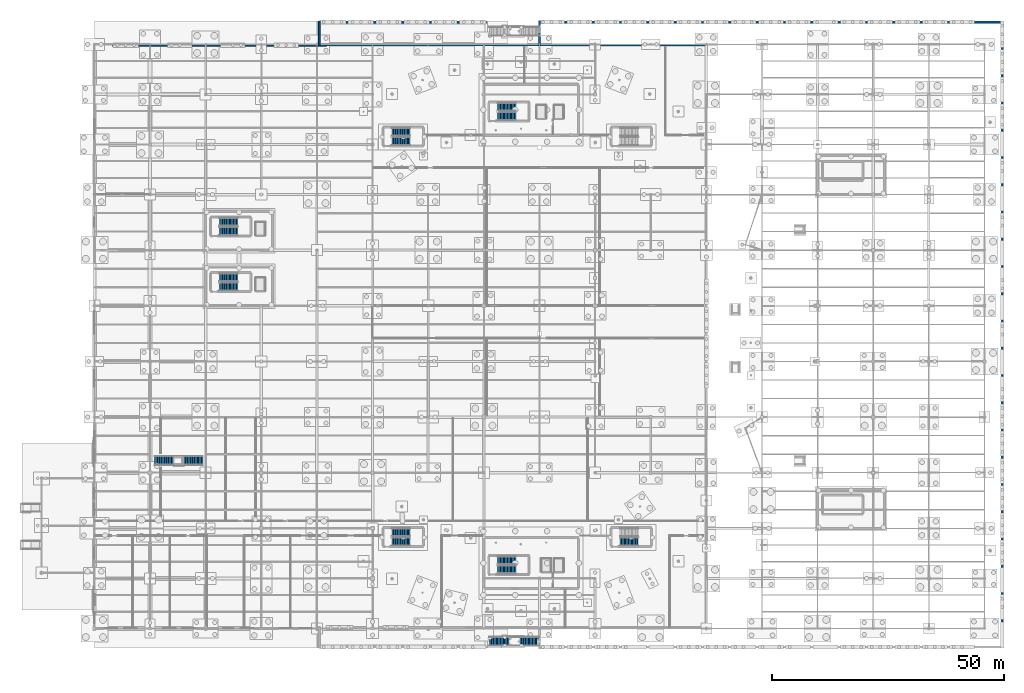
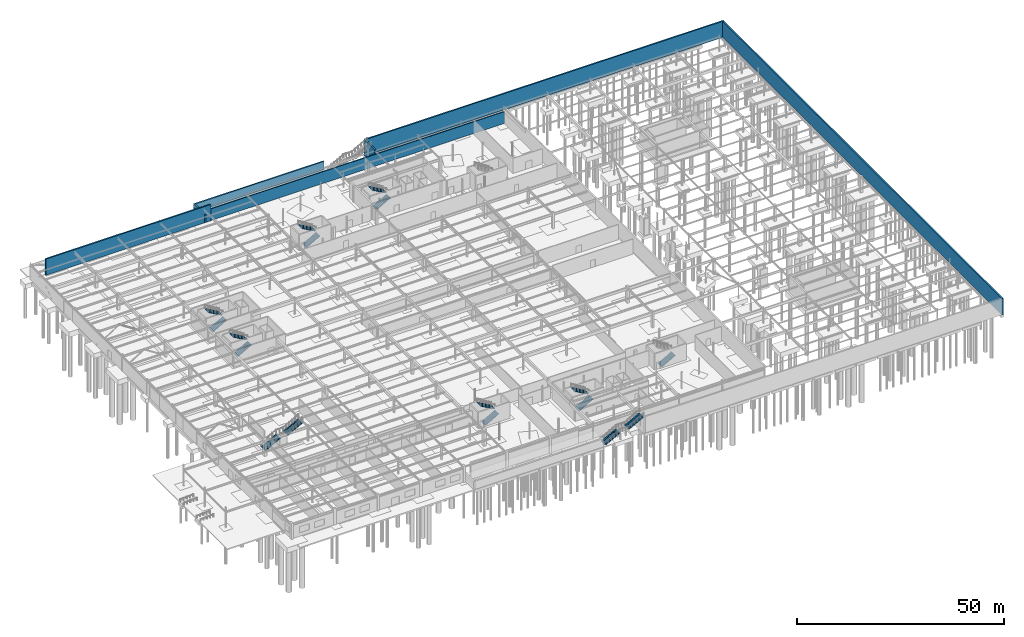
# One storey, part 126 of 136: 17 stair flights, 7 walls, 9 elements without a shape of their own.
"""IFC4 building model written with IfcOpenShell, lengths in metres."""

import ifcopenshell
import ifcopenshell.guid

model = None  # the IFC model being written
_history = None  # IfcOwnerHistory: only IFC2X3 demands one
_inside = {}  # id of a spatial element -> (the spatial element, [elements in it])
_under = {}  # id of a project, library or spatial element -> (it, [spatial elements below it])
_declared = {}  # id of a project -> (the project, [libraries it declares])
_typed = {}  # id of a type object -> (the type object, [elements of that type])
_made_of = {}  # id of a material, layer set ... -> (it, [elements and type objects made of it])


def new_model(schema):
    """Start an empty IFC model of exactly this schema.

    Asked for "IFC4X3", IfcOpenShell would pick the latest addendum, in which some entities
    have other attributes; the version numbers below select the first issue.
    IFC2X3 requires an IfcOwnerHistory on every rooted entity: one is made here for all.
    """
    global model, _history
    if schema == "IFC4X3":
        model = ifcopenshell.file(schema_version=(4, 3, 0, 0))
    else:
        model = ifcopenshell.file(schema=schema)
    _inside.clear()
    _under.clear()
    _declared.clear()
    _typed.clear()
    _made_of.clear()
    _history = None
    if model.schema == "IFC2X3":
        org = make("IfcOrganization", Name="unknown")
        user = make(
            "IfcPersonAndOrganization",
            ThePerson=make("IfcPerson", FamilyName="unknown"),
            TheOrganization=org,
        )
        app = make(
            "IfcApplication",
            ApplicationDeveloper=org,
            Version="unknown",
            ApplicationFullName="unknown",
            ApplicationIdentifier="unknown",
        )
        _history = make(
            "IfcOwnerHistory",
            OwningUser=user,
            OwningApplication=app,
            ChangeAction="ADDED",
            CreationDate=0,
        )
    return model


def make(cls, **values):
    """One entity of the class cls with the attributes given. An attribute that is None is left unset."""
    return model.create_entity(
        cls, **{name: value for name, value in values.items() if value is not None}
    )


def rooted(cls, **values):
    """An entity with a GlobalId (a new one), such as an element, a storey or a relation."""
    return make(cls, GlobalId=ifcopenshell.guid.new(), OwnerHistory=_history, **values)


def si_unit(unit_type, name, prefix=None):
    """IfcSIUnit, for example si_unit("LENGTHUNIT", "METRE", prefix="MILLI")."""
    return make("IfcSIUnit", UnitType=unit_type, Prefix=prefix, Name=name)


def assignment(units):
    """IfcUnitAssignment: the units of a project."""
    return None if units is None else make("IfcUnitAssignment", Units=units)


def point(xyz):
    """IfcCartesianPoint."""
    return None if xyz is None else make("IfcCartesianPoint", Coordinates=xyz)


def direction(xyz):
    """IfcDirection."""
    return None if xyz is None else make("IfcDirection", DirectionRatios=xyz)


def frame(location, z_axis=None, x_axis=None):
    """IfcAxis2Placement3D, a coordinate frame: its origin and axes. An axis left out is left unset."""
    return make(
        "IfcAxis2Placement3D",
        Location=point(location),
        Axis=direction(z_axis),
        RefDirection=direction(x_axis),
    )


def frame_2d(location, x_axis=None):
    """IfcAxis2Placement2D, a coordinate frame in the plane: its origin and x axis."""
    return make(
        "IfcAxis2Placement2D", Location=point(location), RefDirection=direction(x_axis)
    )


def origin():
    """The frame at (0, 0, 0) with its axes left unset."""
    return frame((0.0, 0.0, 0.0))


def place(relative_to, where):
    """IfcLocalPlacement: puts the frame where relative to a parent placement (None: the world)."""
    return make(
        "IfcLocalPlacement", PlacementRelTo=relative_to, RelativePlacement=where
    )


def context(
    kind, dimensions, precision=None, world=None, true_north=None, identifier=None
):
    """IfcGeometricRepresentationContext, for example the 3D "Model" context."""
    return make(
        "IfcGeometricRepresentationContext",
        ContextIdentifier=identifier,
        ContextType=kind,
        CoordinateSpaceDimension=dimensions,
        Precision=precision,
        WorldCoordinateSystem=world,
        TrueNorth=true_north,
    )


def subcontext(parent, identifier, kind, view, scale=None):
    """IfcGeometricRepresentationSubContext, for example "Body" below "Model"."""
    return make(
        "IfcGeometricRepresentationSubContext",
        ContextIdentifier=identifier,
        ContextType=kind,
        ParentContext=parent,
        TargetScale=scale,
        TargetView=view,
    )


def project(units=None, contexts=None):
    """IfcProject with its units and contexts."""
    return rooted(
        "IfcProject",
        Name="project",
        RepresentationContexts=contexts,
        UnitsInContext=assignment(units),
    )


def spatial(cls, under=None, at=None, **own):
    """A site, building, storey or space (cls), placed at a placement, below another one or the project."""
    s = rooted(cls, ObjectPlacement=at, **own)
    if under is not None:
        _under.setdefault(under.id(), (under, []))[1].append(s)
    return s


def polyline(points):
    """IfcPolyline through the points."""
    return make("IfcPolyline", Points=[point(p) for p in points])


def profile(cls, at=None, kind="AREA", **sizes):
    """A parametric profile (cls). Its sizes go by their IFC names, for example OverallWidth=200.0."""
    return make(cls, ProfileType=kind, Position=at, **sizes)


def rectangle(**sizes):
    """IfcRectangleProfileDef."""
    return profile("IfcRectangleProfileDef", **sizes)


def outline(outer, holes=None, kind="AREA"):
    """IfcArbitraryClosedProfileDef: a profile drawn as a closed curve; with holes, ...WithVoids."""
    if holes is None:
        return make("IfcArbitraryClosedProfileDef", ProfileType=kind, OuterCurve=outer)
    return make(
        "IfcArbitraryProfileDefWithVoids",
        ProfileType=kind,
        OuterCurve=outer,
        InnerCurves=holes,
    )


def extrude(swept, where, along, depth):
    """IfcExtrudedAreaSolid: the profile swept, set in the frame where, extruded along a direction by depth."""
    return make(
        "IfcExtrudedAreaSolid",
        SweptArea=swept,
        Position=where,
        ExtrudedDirection=direction(along),
        Depth=depth,
    )


def shape(context_of_items, identifier, shape_type, items):
    """IfcShapeRepresentation: the items that make up one representation, for example the "Body"."""
    return make(
        "IfcShapeRepresentation",
        ContextOfItems=context_of_items,
        RepresentationIdentifier=identifier,
        RepresentationType=shape_type,
        Items=items,
    )


def material(Name=None, Category=None):
    """IfcMaterial."""
    return make("IfcMaterial", Name=Name, Category=Category)


def layer(
    of_material, thickness, ventilated=None, Name=None, Category=None, Priority=None
):
    """IfcMaterialLayer: one layer of a wall or slab, of a material (None: an air gap)."""
    return make(
        "IfcMaterialLayer",
        Material=of_material,
        LayerThickness=thickness,
        IsVentilated=ventilated,
        Name=Name,
        Category=Category,
        Priority=Priority,
    )


def layer_set(layers, Name=None):
    """IfcMaterialLayerSet."""
    return make("IfcMaterialLayerSet", MaterialLayers=layers, LayerSetName=Name)


def made_of(thing, what):
    """Note that an element or type object is made of a material, layer set ...; save() writes the relation."""
    if what is not None:
        _made_of.setdefault(what.id(), (what, []))[1].append(thing)
    return thing


def type_object(cls, material=None, **own):
    """A type object (cls), such as IfcWallType, which elements share."""
    return made_of(rooted(cls, **own), material)


def element(
    cls,
    number,
    at=None,
    inside=None,
    cuts=None,
    type_object=None,
    material=None,
    context=None,
    identifier="Body",
    shape_type=None,
    held_by="IfcProductDefinitionShape",
    body=None,
    shapes=None,
    **own,
):
    """One element of the class cls, such as IfcWall. Its Tag is "e" and its number.

    at: its placement. inside: the storey or other place that contains it. cuts: it is an
    opening in that element (IfcRelVoidsElement). A single representation is given by context,
    identifier, shape_type and body (its items); several are given by shapes. held_by: the class
    of the entity that holds the representations. save() writes the other relations.
    """
    e = rooted(cls, Tag="e%d" % number, ObjectPlacement=at, **own)
    if body is not None:
        shapes = [shape(context, identifier, shape_type, body)]
    if shapes is not None:
        e.Representation = make(held_by, Representations=shapes)
    if inside is not None:
        _inside.setdefault(inside.id(), (inside, []))[1].append(e)
    if cuts is not None:
        rooted(
            "IfcRelVoidsElement", RelatingBuildingElement=cuts, RelatedOpeningElement=e
        )
    if type_object is not None:
        _typed.setdefault(type_object.id(), (type_object, []))[1].append(e)
    return made_of(e, material)


def aggregate(whole, parts):
    """IfcRelAggregates: a whole, such as a stair, and the parts it consists of."""
    return rooted("IfcRelAggregates", RelatingObject=whole, RelatedObjects=parts)


def save(model, path):
    """Write the relations noted so far, then the file.

    IfcRelAggregates (storeys below a building ...), IfcRelContainedInSpatialStructure (elements
    in a storey), IfcRelDefinesByType, IfcRelAssociatesMaterial and IfcRelDeclares: one each for
    every whole, place, type object, material and project.
    """
    for whole, parts in _under.values():
        aggregate(whole, parts)
    for where, things in _inside.values():
        rooted(
            "IfcRelContainedInSpatialStructure",
            RelatedElements=things,
            RelatingStructure=where,
        )
    for kind, things in _typed.values():
        rooted("IfcRelDefinesByType", RelatedObjects=things, RelatingType=kind)
    for what, things in _made_of.values():
        rooted("IfcRelAssociatesMaterial", RelatedObjects=things, RelatingMaterial=what)
    for by, libraries in _declared.values():
        rooted("IfcRelDeclares", RelatingContext=by, RelatedDefinitions=libraries)
    model.write(path)


model = new_model("IFC4")

# Units and contexts
model_context = context("Model", 3, precision=1e-05, world=origin(), true_north=direction((0.0, 1.0)))
body_context = subcontext(model_context, "Body", "Model", "MODEL_VIEW")
ifc_project = project(units=[si_unit("LENGTHUNIT", "METRE"), si_unit("AREAUNIT", "SQUARE_METRE"), si_unit("VOLUMEUNIT", "CUBIC_METRE"), si_unit("PLANEANGLEUNIT", "RADIAN"), si_unit("MASSUNIT", "GRAM", prefix="KILO")], contexts=[model_context])

# Site, building, storey
site_placement = place(None, origin())
site = spatial("IfcSite", under=ifc_project, at=site_placement, CompositionType="ELEMENT")
building_placement = place(site_placement, origin())
building = spatial("IfcBuilding", under=site, at=building_placement, Name="Tarnwether General Hospital", CompositionType="ELEMENT")
storey_placement = place(building_placement, frame((0.0, 0.0, -4.800048828125)))
storey = spatial("IfcBuildingStorey", under=building, at=storey_placement, Name="LG", CompositionType="ELEMENT", Elevation=-4.800048828125)

# Walls
ifc_material_1 = material(Name="Precast concrete 40 MPa", Category="concrete")
ifc_layer_1 = layer(ifc_material_1, 0.280029296875)
ifc_layer_set_1 = layer_set([ifc_layer_1], Name="Precast concrete 40 MPa")
wall_type_1 = type_object("IfcWallType", Name="WL-EX280", PredefinedType="STANDARD", material=ifc_layer_set_1)
wall_1_placement = place(storey_placement, frame((50.0, 125.800048828125, 0.0), z_axis=(0.0, 0.0, 1.0), x_axis=(1.0, 0.0, 0.0)))
element("IfcWall", 1, at=wall_1_placement, inside=storey, type_object=wall_type_1, Name="LG North Basement Perimeter Wall EW-LG-0278", PredefinedType="STANDARD", context=body_context, shape_type="SweptSolid", body=[
    extrude(rectangle(XDim=82.0, YDim=0.280029296875, at=frame_2d((41.0, 0.0))), origin(), (0.0, 0.0, 1.0), 3.455078125),
])
ifc_material_2 = material(Name="Concrete 40 MPa", Category="concrete")
ifc_layer_2 = layer(ifc_material_2, 0.39990234375)
ifc_layer_set_2 = layer_set([ifc_layer_2], Name="Concrete 40 MPa")
wall_type_2 = type_object("IfcWallType", Name="WL-RW400", PredefinedType="USERDEFINED", material=ifc_layer_set_2)
wall_2_placement = place(storey_placement, frame((4.0, 125.800048828125, 0.0), z_axis=(0.0, 0.0, 1.0), x_axis=(1.0, 0.0, 0.0)))
element("IfcWall", 2, at=wall_2_placement, inside=storey, type_object=wall_type_2, Name="Scarp Retaining Wall RW-NORTH", ObjectType="RETAINING", PredefinedType="USERDEFINED", context=body_context, shape_type="SweptSolid", body=[
    extrude(rectangle(XDim=46.0, YDim=0.39990234375, at=frame_2d((23.0, 0.0))), origin(), (0.0, 0.0, 1.0), 4.800048828125),
])
wall_3_placement = place(storey_placement, frame((195.800048828125, -4.199951171875, 0.0), z_axis=(0.0, 0.0, 1.0), x_axis=(0.0, 1.0, 0.0)))
element("IfcWall", 3, at=wall_3_placement, inside=storey, type_object=wall_type_2, Name="Scarp Retaining Wall RW-PLINTH-E", ObjectType="RETAINING", PredefinedType="USERDEFINED", context=body_context, shape_type="SweptSolid", body=[
    extrude(rectangle(XDim=135.199951171875, YDim=0.39990234375, at=frame_2d((67.60009765625, 0.0))), origin(), (0.0, 0.0, 1.0), 4.800048828125),
])
wall_4_placement = place(storey_placement, frame((196.0, 130.800048828125, 0.0), z_axis=(0.0, 0.0, 1.0), x_axis=(-1.0, 0.0, 0.0)))
element("IfcWall", 4, at=wall_4_placement, inside=storey, type_object=wall_type_2, Name="Scarp Retaining Wall RW-PLINTH-NE", ObjectType="RETAINING", PredefinedType="USERDEFINED", context=body_context, shape_type="SweptSolid", body=[
    extrude(rectangle(XDim=100.199951171875, YDim=0.39990234375, at=frame_2d((50.10009765625, 0.0))), origin(), (0.0, 0.0, 1.0), 4.800048828125),
])
wall_5_placement = place(storey_placement, frame((96.0, 125.800048828125, 0.0), z_axis=(0.0, 0.0, 1.0), x_axis=(0.0, 1.0, 0.0)))
element("IfcWall", 5, at=wall_5_placement, inside=storey, type_object=wall_type_2, Name="Scarp Retaining Wall RW-STEP96-N", ObjectType="RETAINING", PredefinedType="USERDEFINED", context=body_context, shape_type="SweptSolid", body=[
    extrude(rectangle(XDim=5.199951171875, YDim=0.39990234375, at=frame_2d((2.60009765625, 0.0))), origin(), (0.0, 0.0, 1.0), 4.800048828125),
])
wall_6_placement = place(storey_placement, frame((84.5, 130.800048828125, 0.0), z_axis=(0.0, 0.0, 1.0), x_axis=(-1.0, 0.0, 0.0)))
element("IfcWall", 6, at=wall_6_placement, inside=storey, type_object=wall_type_2, Name="Scarp Retaining Wall RW-MID-N", ObjectType="RETAINING", PredefinedType="USERDEFINED", context=body_context, shape_type="SweptSolid", body=[
    extrude(rectangle(XDim=36.0, YDim=0.39990234375, at=frame_2d((18.0, 0.0))), origin(), (0.0, 0.0, 1.0), 2.400146484375),
])
wall_7_placement = place(storey_placement, frame((48.5, 125.60009765625, 0.0), z_axis=(0.0, 0.0, 1.0), x_axis=(0.0, 1.0, 0.0)))
element("IfcWall", 7, at=wall_7_placement, inside=storey, type_object=wall_type_2, Name="Scarp Retaining Wall RW-STEP48-N", ObjectType="RETAINING", PredefinedType="USERDEFINED", context=body_context, shape_type="SweptSolid", body=[
    extrude(rectangle(XDim=5.39990234375, YDim=0.39990234375, at=frame_2d((2.699951171875, 0.0))), origin(), (0.0, 0.0, 1.0), 2.400146484375),
])

# Stair, stair flights
ifc_material_3 = material(Name="Concrete 40 MPa", Category="concrete")
stair_type_1 = type_object("IfcStairType", Name="ST-DL48A", PredefinedType="HALF_TURN_STAIR", material=ifc_material_3)
stair_1_placement = place(storey_placement, origin())
stair_1 = element("IfcStair", 8, at=stair_1_placement, inside=storey, type_object=stair_type_1, Name="LG Exit Stair ST-01", PredefinedType="HALF_TURN_STAIR")
ifc_material_4 = material(Name="Concrete 40 MPa", Category="concrete")
stair_flight_type_1 = type_object("IfcStairFlightType", Name="SF-48A", PredefinedType="STRAIGHT", material=ifc_material_4)
stair_flight_1_placement = place(storey_placement, frame((87.0, 110.5, 0.0), z_axis=(0.0, 0.0, 1.0), x_axis=(1.0, 0.0, 0.0)))
stair_flight_1 = element("IfcStairFlight", 9, at=stair_flight_1_placement, type_object=stair_flight_type_1, Name="ST-01 flight 1", NumberOfRisers=14, NumberOfTreads=13, PredefinedType="STRAIGHT", RiserHeight=0.171428571, TreadLength=0.3, context=body_context, shape_type="SweptSolid", body=[
    extrude(outline(polyline([(0.0, 0.0), (0.0, 0.17138671875), (0.300048828125, 0.17138671875), (0.300048828125, 0.3427734375), (0.60009765625, 0.3427734375), (0.60009765625, 0.514404296875), (0.89990234375, 0.514404296875), (0.89990234375, 0.685791015625), (1.199951171875, 0.685791015625), (1.199951171875, 0.857177734375), (1.5, 0.857177734375), (1.5, 1.028564453125), (1.800048828125, 1.028564453125), (1.800048828125, 1.199951171875), (2.10009765625, 1.199951171875), (2.10009765625, 1.371337890625), (2.39990234375, 1.371337890625), (2.39990234375, 1.54296875), (2.699951171875, 1.54296875), (2.699951171875, 1.71435546875), (3.0, 1.71435546875), (3.0, 1.8857421875), (3.300048828125, 1.8857421875), (3.300048828125, 2.05712890625), (3.60009765625, 2.05712890625), (3.60009765625, 2.228515625), (3.89990234375, 2.228515625), (3.89990234375, 2.39990234375), (3.89990234375, 2.055908203125), (0.30224609375, 0.0), (0.0, 0.0)])), frame((0.0, 0.89990234375, 0.0), z_axis=(0.0, -1.0, 0.0), x_axis=(1.0, 0.0, 0.0)), (0.0, 0.0, 1.0), 1.800048828125),
])
stair_flight_2_placement = place(storey_placement, frame((90.89990234375, 112.5, 2.400146484375), z_axis=(0.0, 0.0, 1.0), x_axis=(-1.0, 0.0, 0.0)))
stair_flight_2 = element("IfcStairFlight", 10, at=stair_flight_2_placement, type_object=stair_flight_type_1, Name="ST-01 flight 2", NumberOfRisers=14, NumberOfTreads=13, PredefinedType="STRAIGHT", RiserHeight=0.171428571, TreadLength=0.3, context=body_context, shape_type="SweptSolid", body=[
    extrude(outline(polyline([(0.0, 0.0), (0.0, 0.17138671875), (0.300048828125, 0.17138671875), (0.300048828125, 0.3427734375), (0.60009765625, 0.3427734375), (0.60009765625, 0.514404296875), (0.89990234375, 0.514404296875), (0.89990234375, 0.685791015625), (1.199951171875, 0.685791015625), (1.199951171875, 0.857177734375), (1.5, 0.857177734375), (1.5, 1.028564453125), (1.800048828125, 1.028564453125), (1.800048828125, 1.199951171875), (2.10009765625, 1.199951171875), (2.10009765625, 1.371337890625), (2.39990234375, 1.371337890625), (2.39990234375, 1.54296875), (2.699951171875, 1.54296875), (2.699951171875, 1.71435546875), (3.0, 1.71435546875), (3.0, 1.8857421875), (3.300048828125, 1.8857421875), (3.300048828125, 2.05712890625), (3.60009765625, 2.05712890625), (3.60009765625, 2.228515625), (3.89990234375, 2.228515625), (3.89990234375, 2.39990234375), (3.89990234375, 2.055908203125), (0.30224609375, 0.0), (0.0, 0.0)])), frame((0.0, 0.89990234375, 0.0), z_axis=(0.0, -1.0, 0.0), x_axis=(1.0, 0.0, 0.0)), (0.0, 0.0, 1.0), 1.800048828125),
])
aggregate(stair_1, [stair_flight_1, stair_flight_2])

stair_2_placement = place(storey_placement, origin())
stair_2 = element("IfcStair", 11, at=stair_2_placement, inside=storey, type_object=stair_type_1, Name="LG Exit Stair ST-03", PredefinedType="HALF_TURN_STAIR")
stair_flight_3_placement = place(storey_placement, frame((27.0, 73.699951171875, 0.0), z_axis=(0.0, 0.0, 1.0), x_axis=(1.0, 0.0, 0.0)))
stair_flight_3 = element("IfcStairFlight", 12, at=stair_flight_3_placement, type_object=stair_flight_type_1, Name="ST-03 flight 1", NumberOfRisers=14, NumberOfTreads=13, PredefinedType="STRAIGHT", RiserHeight=0.171428571, TreadLength=0.3, context=body_context, shape_type="SweptSolid", body=[
    extrude(outline(polyline([(0.0, 0.0), (0.0, 0.17138671875), (0.300048828125, 0.17138671875), (0.300048828125, 0.3427734375), (0.60009765625, 0.3427734375), (0.60009765625, 0.514404296875), (0.89990234375, 0.514404296875), (0.89990234375, 0.685791015625), (1.199951171875, 0.685791015625), (1.199951171875, 0.857177734375), (1.5, 0.857177734375), (1.5, 1.028564453125), (1.800048828125, 1.028564453125), (1.800048828125, 1.199951171875), (2.10009765625, 1.199951171875), (2.10009765625, 1.371337890625), (2.39990234375, 1.371337890625), (2.39990234375, 1.54296875), (2.699951171875, 1.54296875), (2.699951171875, 1.71435546875), (3.0, 1.71435546875), (3.0, 1.8857421875), (3.300048828125, 1.8857421875), (3.300048828125, 2.05712890625), (3.60009765625, 2.05712890625), (3.60009765625, 2.228515625), (3.89990234375, 2.228515625), (3.89990234375, 2.39990234375), (3.89990234375, 2.055908203125), (0.30224609375, 0.0), (0.0, 0.0)])), frame((0.0, 0.89990234375, 0.0), z_axis=(0.0, -1.0, 0.0), x_axis=(1.0, 0.0, 0.0)), (0.0, 0.0, 1.0), 1.800048828125),
])
stair_flight_4_placement = place(storey_placement, frame((30.89990234375, 75.699951171875, 2.400146484375), z_axis=(0.0, 0.0, 1.0), x_axis=(-1.0, 0.0, 0.0)))
stair_flight_4 = element("IfcStairFlight", 13, at=stair_flight_4_placement, type_object=stair_flight_type_1, Name="ST-03 flight 2", NumberOfRisers=14, NumberOfTreads=13, PredefinedType="STRAIGHT", RiserHeight=0.171428571, TreadLength=0.3, context=body_context, shape_type="SweptSolid", body=[
    extrude(outline(polyline([(0.0, 0.0), (0.0, 0.17138671875), (0.300048828125, 0.17138671875), (0.300048828125, 0.3427734375), (0.60009765625, 0.3427734375), (0.60009765625, 0.514404296875), (0.89990234375, 0.514404296875), (0.89990234375, 0.685791015625), (1.199951171875, 0.685791015625), (1.199951171875, 0.857177734375), (1.5, 0.857177734375), (1.5, 1.028564453125), (1.800048828125, 1.028564453125), (1.800048828125, 1.199951171875), (2.10009765625, 1.199951171875), (2.10009765625, 1.371337890625), (2.39990234375, 1.371337890625), (2.39990234375, 1.54296875), (2.699951171875, 1.54296875), (2.699951171875, 1.71435546875), (3.0, 1.71435546875), (3.0, 1.8857421875), (3.300048828125, 1.8857421875), (3.300048828125, 2.05712890625), (3.60009765625, 2.05712890625), (3.60009765625, 2.228515625), (3.89990234375, 2.228515625), (3.89990234375, 2.39990234375), (3.89990234375, 2.055908203125), (0.30224609375, 0.0), (0.0, 0.0)])), frame((0.0, 0.89990234375, 0.0), z_axis=(0.0, -1.0, 0.0), x_axis=(1.0, 0.0, 0.0)), (0.0, 0.0, 1.0), 1.800048828125),
])
aggregate(stair_2, [stair_flight_3, stair_flight_4])

stair_3_placement = place(storey_placement, origin())
stair_3 = element("IfcStair", 14, at=stair_3_placement, inside=storey, type_object=stair_type_1, Name="LG Exit Stair ST-07", PredefinedType="HALF_TURN_STAIR")
stair_flight_5_placement = place(storey_placement, frame((64.199951171875, 105.10009765625, 0.0), z_axis=(0.0, 0.0, 1.0), x_axis=(1.0, 0.0, 0.0)))
stair_flight_5 = element("IfcStairFlight", 15, at=stair_flight_5_placement, type_object=stair_flight_type_1, Name="ST-07 flight 1", NumberOfRisers=14, NumberOfTreads=13, PredefinedType="STRAIGHT", RiserHeight=0.171428571, TreadLength=0.3, context=body_context, shape_type="SweptSolid", body=[
    extrude(outline(polyline([(0.0, 0.0), (0.0, 0.17138671875), (0.300048828125, 0.17138671875), (0.300048828125, 0.3427734375), (0.60009765625, 0.3427734375), (0.60009765625, 0.514404296875), (0.89990234375, 0.514404296875), (0.89990234375, 0.685791015625), (1.199951171875, 0.685791015625), (1.199951171875, 0.857177734375), (1.5, 0.857177734375), (1.5, 1.028564453125), (1.800048828125, 1.028564453125), (1.800048828125, 1.199951171875), (2.10009765625, 1.199951171875), (2.10009765625, 1.371337890625), (2.39990234375, 1.371337890625), (2.39990234375, 1.54296875), (2.699951171875, 1.54296875), (2.699951171875, 1.71435546875), (3.0, 1.71435546875), (3.0, 1.8857421875), (3.300048828125, 1.8857421875), (3.300048828125, 2.05712890625), (3.60009765625, 2.05712890625), (3.60009765625, 2.228515625), (3.89990234375, 2.228515625), (3.89990234375, 2.39990234375), (3.89990234375, 2.055908203125), (0.30224609375, 0.0), (0.0, 0.0)])), frame((0.0, 0.89990234375, 0.0), z_axis=(0.0, -1.0, 0.0), x_axis=(1.0, 0.0, 0.0)), (0.0, 0.0, 1.0), 1.800048828125),
])
stair_flight_6_placement = place(storey_placement, frame((68.10009765625, 107.10009765625, 2.400146484375), z_axis=(0.0, 0.0, 1.0), x_axis=(-1.0, 0.0, 0.0)))
stair_flight_6 = element("IfcStairFlight", 16, at=stair_flight_6_placement, type_object=stair_flight_type_1, Name="ST-07 flight 2", NumberOfRisers=14, NumberOfTreads=13, PredefinedType="STRAIGHT", RiserHeight=0.171428571, TreadLength=0.3, context=body_context, shape_type="SweptSolid", body=[
    extrude(outline(polyline([(0.0, 0.0), (0.0, 0.17138671875), (0.300048828125, 0.17138671875), (0.300048828125, 0.3427734375), (0.60009765625, 0.3427734375), (0.60009765625, 0.514404296875), (0.89990234375, 0.514404296875), (0.89990234375, 0.685791015625), (1.199951171875, 0.685791015625), (1.199951171875, 0.857177734375), (1.5, 0.857177734375), (1.5, 1.028564453125), (1.800048828125, 1.028564453125), (1.800048828125, 1.199951171875), (2.10009765625, 1.199951171875), (2.10009765625, 1.371337890625), (2.39990234375, 1.371337890625), (2.39990234375, 1.54296875), (2.699951171875, 1.54296875), (2.699951171875, 1.71435546875), (3.0, 1.71435546875), (3.0, 1.8857421875), (3.300048828125, 1.8857421875), (3.300048828125, 2.05712890625), (3.60009765625, 2.05712890625), (3.60009765625, 2.228515625), (3.89990234375, 2.228515625), (3.89990234375, 2.39990234375), (3.89990234375, 2.055908203125), (0.30224609375, 0.0), (0.0, 0.0)])), frame((0.0, 0.89990234375, 0.0), z_axis=(0.0, -1.0, 0.0), x_axis=(1.0, 0.0, 0.0)), (0.0, 0.0, 1.0), 1.800048828125),
])
aggregate(stair_3, [stair_flight_5, stair_flight_6])

stair_4_placement = place(storey_placement, origin())
stair_4 = element("IfcStair", 17, at=stair_4_placement, inside=storey, type_object=stair_type_1, Name="LG Exit Stair ST-09", PredefinedType="HALF_TURN_STAIR")
stair_flight_7_placement = place(storey_placement, frame((64.199951171875, 18.699951171875, 0.0), z_axis=(0.0, 0.0, 1.0), x_axis=(1.0, 0.0, 0.0)))
stair_flight_7 = element("IfcStairFlight", 18, at=stair_flight_7_placement, type_object=stair_flight_type_1, Name="ST-09 flight 1", NumberOfRisers=14, NumberOfTreads=13, PredefinedType="STRAIGHT", RiserHeight=0.171428571, TreadLength=0.3, context=body_context, shape_type="SweptSolid", body=[
    extrude(outline(polyline([(0.0, 0.0), (0.0, 0.17138671875), (0.300048828125, 0.17138671875), (0.300048828125, 0.3427734375), (0.60009765625, 0.3427734375), (0.60009765625, 0.514404296875), (0.89990234375, 0.514404296875), (0.89990234375, 0.685791015625), (1.199951171875, 0.685791015625), (1.199951171875, 0.857177734375), (1.5, 0.857177734375), (1.5, 1.028564453125), (1.800048828125, 1.028564453125), (1.800048828125, 1.199951171875), (2.10009765625, 1.199951171875), (2.10009765625, 1.371337890625), (2.39990234375, 1.371337890625), (2.39990234375, 1.54296875), (2.699951171875, 1.54296875), (2.699951171875, 1.71435546875), (3.0, 1.71435546875), (3.0, 1.8857421875), (3.300048828125, 1.8857421875), (3.300048828125, 2.05712890625), (3.60009765625, 2.05712890625), (3.60009765625, 2.228515625), (3.89990234375, 2.228515625), (3.89990234375, 2.39990234375), (3.89990234375, 2.055908203125), (0.30224609375, 0.0), (0.0, 0.0)])), frame((0.0, 0.89990234375, 0.0), z_axis=(0.0, -1.0, 0.0), x_axis=(1.0, 0.0, 0.0)), (0.0, 0.0, 1.0), 1.800048828125),
])
stair_flight_8_placement = place(storey_placement, frame((68.10009765625, 20.699951171875, 2.400146484375), z_axis=(0.0, 0.0, 1.0), x_axis=(-1.0, 0.0, 0.0)))
stair_flight_8 = element("IfcStairFlight", 19, at=stair_flight_8_placement, type_object=stair_flight_type_1, Name="ST-09 flight 2", NumberOfRisers=14, NumberOfTreads=13, PredefinedType="STRAIGHT", RiserHeight=0.171428571, TreadLength=0.3, context=body_context, shape_type="SweptSolid", body=[
    extrude(outline(polyline([(0.0, 0.0), (0.0, 0.17138671875), (0.300048828125, 0.17138671875), (0.300048828125, 0.3427734375), (0.60009765625, 0.3427734375), (0.60009765625, 0.514404296875), (0.89990234375, 0.514404296875), (0.89990234375, 0.685791015625), (1.199951171875, 0.685791015625), (1.199951171875, 0.857177734375), (1.5, 0.857177734375), (1.5, 1.028564453125), (1.800048828125, 1.028564453125), (1.800048828125, 1.199951171875), (2.10009765625, 1.199951171875), (2.10009765625, 1.371337890625), (2.39990234375, 1.371337890625), (2.39990234375, 1.54296875), (2.699951171875, 1.54296875), (2.699951171875, 1.71435546875), (3.0, 1.71435546875), (3.0, 1.8857421875), (3.300048828125, 1.8857421875), (3.300048828125, 2.05712890625), (3.60009765625, 2.05712890625), (3.60009765625, 2.228515625), (3.89990234375, 2.228515625), (3.89990234375, 2.39990234375), (3.89990234375, 2.055908203125), (0.30224609375, 0.0), (0.0, 0.0)])), frame((0.0, 0.89990234375, 0.0), z_axis=(0.0, -1.0, 0.0), x_axis=(1.0, 0.0, 0.0)), (0.0, 0.0, 1.0), 1.800048828125),
])
aggregate(stair_4, [stair_flight_7, stair_flight_8])

ifc_material_5 = material(Name="Concrete 40 MPa", Category="concrete")
stair_type_2 = type_object("IfcStairType", Name="ST-DL48B", PredefinedType="HALF_TURN_STAIR", material=ifc_material_5)
stair_5_placement = place(storey_placement, origin())
stair_5 = element("IfcStair", 20, at=stair_5_placement, inside=storey, type_object=stair_type_2, Name="LG Exit Stair ST-02", PredefinedType="HALF_TURN_STAIR")
ifc_material_6 = material(Name="Concrete 40 MPa", Category="concrete")
stair_flight_type_2 = type_object("IfcStairFlightType", Name="SF-48B", PredefinedType="STRAIGHT", material=ifc_material_6)
stair_flight_9_placement = place(storey_placement, frame((87.0, 12.699951171875, 0.0), z_axis=(0.0, 0.0, 1.0), x_axis=(1.0, 0.0, 0.0)))
stair_flight_9 = element("IfcStairFlight", 21, at=stair_flight_9_placement, type_object=stair_flight_type_2, Name="ST-02 flight 1", NumberOfRisers=14, NumberOfTreads=13, PredefinedType="STRAIGHT", RiserHeight=0.171428571, TreadLength=0.3, context=body_context, shape_type="SweptSolid", body=[
    extrude(outline(polyline([(0.0, 0.0), (0.0, 0.17138671875), (0.300048828125, 0.17138671875), (0.300048828125, 0.3427734375), (0.60009765625, 0.3427734375), (0.60009765625, 0.514404296875), (0.89990234375, 0.514404296875), (0.89990234375, 0.685791015625), (1.199951171875, 0.685791015625), (1.199951171875, 0.857177734375), (1.5, 0.857177734375), (1.5, 1.028564453125), (1.800048828125, 1.028564453125), (1.800048828125, 1.199951171875), (2.10009765625, 1.199951171875), (2.10009765625, 1.371337890625), (2.39990234375, 1.371337890625), (2.39990234375, 1.54296875), (2.699951171875, 1.54296875), (2.699951171875, 1.71435546875), (3.0, 1.71435546875), (3.0, 1.8857421875), (3.300048828125, 1.8857421875), (3.300048828125, 2.05712890625), (3.60009765625, 2.05712890625), (3.60009765625, 2.228515625), (3.89990234375, 2.228515625), (3.89990234375, 2.39990234375), (3.89990234375, 2.055908203125), (0.30224609375, 0.0), (0.0, 0.0)])), frame((0.0, 0.89990234375, 0.0), z_axis=(0.0, -1.0, 0.0), x_axis=(1.0, 0.0, 0.0)), (0.0, 0.0, 1.0), 1.800048828125),
])
stair_flight_10_placement = place(storey_placement, frame((90.89990234375, 14.699951171875, 2.400146484375), z_axis=(0.0, 0.0, 1.0), x_axis=(-1.0, 0.0, 0.0)))
stair_flight_10 = element("IfcStairFlight", 22, at=stair_flight_10_placement, type_object=stair_flight_type_2, Name="ST-02 flight 2", NumberOfRisers=14, NumberOfTreads=13, PredefinedType="STRAIGHT", RiserHeight=0.171428571, TreadLength=0.3, context=body_context, shape_type="SweptSolid", body=[
    extrude(outline(polyline([(0.0, 0.0), (0.0, 0.17138671875), (0.300048828125, 0.17138671875), (0.300048828125, 0.3427734375), (0.60009765625, 0.3427734375), (0.60009765625, 0.514404296875), (0.89990234375, 0.514404296875), (0.89990234375, 0.685791015625), (1.199951171875, 0.685791015625), (1.199951171875, 0.857177734375), (1.5, 0.857177734375), (1.5, 1.028564453125), (1.800048828125, 1.028564453125), (1.800048828125, 1.199951171875), (2.10009765625, 1.199951171875), (2.10009765625, 1.371337890625), (2.39990234375, 1.371337890625), (2.39990234375, 1.54296875), (2.699951171875, 1.54296875), (2.699951171875, 1.71435546875), (3.0, 1.71435546875), (3.0, 1.8857421875), (3.300048828125, 1.8857421875), (3.300048828125, 2.05712890625), (3.60009765625, 2.05712890625), (3.60009765625, 2.228515625), (3.89990234375, 2.228515625), (3.89990234375, 2.39990234375), (3.89990234375, 2.055908203125), (0.30224609375, 0.0), (0.0, 0.0)])), frame((0.0, 0.89990234375, 0.0), z_axis=(0.0, -1.0, 0.0), x_axis=(1.0, 0.0, 0.0)), (0.0, 0.0, 1.0), 1.800048828125),
])
aggregate(stair_5, [stair_flight_9, stair_flight_10])

stair_6_placement = place(storey_placement, origin())
stair_6 = element("IfcStair", 23, at=stair_6_placement, inside=storey, type_object=stair_type_2, Name="LG Exit Stair ST-04", PredefinedType="HALF_TURN_STAIR")
stair_flight_11_placement = place(storey_placement, frame((27.0, 85.699951171875, 0.0), z_axis=(0.0, 0.0, 1.0), x_axis=(1.0, 0.0, 0.0)))
stair_flight_11 = element("IfcStairFlight", 24, at=stair_flight_11_placement, type_object=stair_flight_type_2, Name="ST-04 flight 1", NumberOfRisers=14, NumberOfTreads=13, PredefinedType="STRAIGHT", RiserHeight=0.171428571, TreadLength=0.3, context=body_context, shape_type="SweptSolid", body=[
    extrude(outline(polyline([(0.0, 0.0), (0.0, 0.17138671875), (0.300048828125, 0.17138671875), (0.300048828125, 0.3427734375), (0.60009765625, 0.3427734375), (0.60009765625, 0.514404296875), (0.89990234375, 0.514404296875), (0.89990234375, 0.685791015625), (1.199951171875, 0.685791015625), (1.199951171875, 0.857177734375), (1.5, 0.857177734375), (1.5, 1.028564453125), (1.800048828125, 1.028564453125), (1.800048828125, 1.199951171875), (2.10009765625, 1.199951171875), (2.10009765625, 1.371337890625), (2.39990234375, 1.371337890625), (2.39990234375, 1.54296875), (2.699951171875, 1.54296875), (2.699951171875, 1.71435546875), (3.0, 1.71435546875), (3.0, 1.8857421875), (3.300048828125, 1.8857421875), (3.300048828125, 2.05712890625), (3.60009765625, 2.05712890625), (3.60009765625, 2.228515625), (3.89990234375, 2.228515625), (3.89990234375, 2.39990234375), (3.89990234375, 2.055908203125), (0.30224609375, 0.0), (0.0, 0.0)])), frame((0.0, 0.89990234375, 0.0), z_axis=(0.0, -1.0, 0.0), x_axis=(1.0, 0.0, 0.0)), (0.0, 0.0, 1.0), 1.800048828125),
])
stair_flight_12_placement = place(storey_placement, frame((30.89990234375, 87.699951171875, 2.400146484375), z_axis=(0.0, 0.0, 1.0), x_axis=(-1.0, 0.0, 0.0)))
stair_flight_12 = element("IfcStairFlight", 25, at=stair_flight_12_placement, type_object=stair_flight_type_2, Name="ST-04 flight 2", NumberOfRisers=14, NumberOfTreads=13, PredefinedType="STRAIGHT", RiserHeight=0.171428571, TreadLength=0.3, context=body_context, shape_type="SweptSolid", body=[
    extrude(outline(polyline([(0.0, 0.0), (0.0, 0.17138671875), (0.300048828125, 0.17138671875), (0.300048828125, 0.3427734375), (0.60009765625, 0.3427734375), (0.60009765625, 0.514404296875), (0.89990234375, 0.514404296875), (0.89990234375, 0.685791015625), (1.199951171875, 0.685791015625), (1.199951171875, 0.857177734375), (1.5, 0.857177734375), (1.5, 1.028564453125), (1.800048828125, 1.028564453125), (1.800048828125, 1.199951171875), (2.10009765625, 1.199951171875), (2.10009765625, 1.371337890625), (2.39990234375, 1.371337890625), (2.39990234375, 1.54296875), (2.699951171875, 1.54296875), (2.699951171875, 1.71435546875), (3.0, 1.71435546875), (3.0, 1.8857421875), (3.300048828125, 1.8857421875), (3.300048828125, 2.05712890625), (3.60009765625, 2.05712890625), (3.60009765625, 2.228515625), (3.89990234375, 2.228515625), (3.89990234375, 2.39990234375), (3.89990234375, 2.055908203125), (0.30224609375, 0.0), (0.0, 0.0)])), frame((0.0, 0.89990234375, 0.0), z_axis=(0.0, -1.0, 0.0), x_axis=(1.0, 0.0, 0.0)), (0.0, 0.0, 1.0), 1.800048828125),
])
aggregate(stair_6, [stair_flight_11, stair_flight_12])

# Stair, stair flight
stair_7_placement = place(storey_placement, origin())
stair_7 = element("IfcStair", 26, at=stair_7_placement, inside=storey, type_object=stair_type_2, Name="LG Exit Stair ST-10", PredefinedType="HALF_TURN_STAIR")
stair_flight_13_placement = place(storey_placement, frame((113.39990234375, 18.699951171875, 0.0), z_axis=(0.0, 0.0, 1.0), x_axis=(1.0, 0.0, 0.0)))
stair_flight_13 = element("IfcStairFlight", 27, at=stair_flight_13_placement, type_object=stair_flight_type_2, Name="ST-10 flight 1", NumberOfRisers=14, NumberOfTreads=13, PredefinedType="STRAIGHT", RiserHeight=0.171428571, TreadLength=0.3, context=body_context, shape_type="SweptSolid", body=[
    extrude(outline(polyline([(0.0, 0.0), (0.0, 0.17138671875), (0.300048828125, 0.17138671875), (0.300048828125, 0.3427734375), (0.60009765625, 0.3427734375), (0.60009765625, 0.514404296875), (0.89990234375, 0.514404296875), (0.89990234375, 0.685791015625), (1.199951171875, 0.685791015625), (1.199951171875, 0.857177734375), (1.5, 0.857177734375), (1.5, 1.028564453125), (1.800048828125, 1.028564453125), (1.800048828125, 1.199951171875), (2.10009765625, 1.199951171875), (2.10009765625, 1.371337890625), (2.39990234375, 1.371337890625), (2.39990234375, 1.54296875), (2.699951171875, 1.54296875), (2.699951171875, 1.71435546875), (3.0, 1.71435546875), (3.0, 1.8857421875), (3.300048828125, 1.8857421875), (3.300048828125, 2.05712890625), (3.60009765625, 2.05712890625), (3.60009765625, 2.228515625), (3.89990234375, 2.228515625), (3.89990234375, 2.39990234375), (3.89990234375, 2.055908203125), (0.30224609375, 0.0), (0.0, 0.0)])), frame((0.0, 0.89990234375, 0.0), z_axis=(0.0, -1.0, 0.0), x_axis=(1.0, 0.0, 0.0)), (0.0, 0.0, 1.0), 1.800048828125),
])
aggregate(stair_7, [stair_flight_13])

# Stair, stair flights
ifc_material_7 = material(Name="Concrete 40 MPa", Category="concrete")
stair_type_3 = type_object("IfcStairType", Name="ST-SR48", PredefinedType="STRAIGHT_RUN_STAIR", material=ifc_material_7)
stair_8_placement = place(storey_placement, origin())
stair_8 = element("IfcStair", 28, at=stair_8_placement, inside=storey, type_object=stair_type_3, Name="Exterior Scarp Terrace Stair ST-16", PredefinedType="STRAIGHT_RUN_STAIR")
ifc_material_8 = material(Name="Concrete 40 MPa", Category="concrete")
stair_flight_type_3 = type_object("IfcStairFlightType", Name="SF-SR48", PredefinedType="STRAIGHT", material=ifc_material_8)
stair_flight_14_placement = place(storey_placement, frame((85.199951171875, -2.800048828125, 0.0), z_axis=(0.0, 0.0, 1.0), x_axis=(1.0, 0.0, 0.0)))
stair_flight_14 = element("IfcStairFlight", 29, at=stair_flight_14_placement, type_object=stair_flight_type_3, Name="ST-16 flight 1", NumberOfRisers=15, NumberOfTreads=14, PredefinedType="STRAIGHT", RiserHeight=0.16, TreadLength=0.3, context=body_context, shape_type="SweptSolid", body=[
    extrude(outline(polyline([(0.0, 0.0), (0.0, 0.159912109375), (0.300048828125, 0.159912109375), (0.300048828125, 0.320068359375), (0.60009765625, 0.320068359375), (0.60009765625, 0.47998046875), (0.89990234375, 0.47998046875), (0.89990234375, 0.639892578125), (1.199951171875, 0.639892578125), (1.199951171875, 0.800048828125), (1.5, 0.800048828125), (1.5, 0.9599609375), (1.800048828125, 0.9599609375), (1.800048828125, 1.1201171875), (2.10009765625, 1.1201171875), (2.10009765625, 1.280029296875), (2.39990234375, 1.280029296875), (2.39990234375, 1.43994140625), (2.699951171875, 1.43994140625), (2.699951171875, 1.60009765625), (3.0, 1.60009765625), (3.0, 1.760009765625), (3.300048828125, 1.760009765625), (3.300048828125, 1.919921875), (3.60009765625, 1.919921875), (3.60009765625, 2.080078125), (3.89990234375, 2.080078125), (3.89990234375, 2.239990234375), (4.199951171875, 2.239990234375), (4.199951171875, 2.39990234375), (4.199951171875, 2.0361328125), (0.38232421875, 0.0), (0.0, 0.0)])), frame((0.0, 1.0, 0.0), z_axis=(0.0, -1.0, 0.0), x_axis=(1.0, 0.0, 0.0)), (0.0, 0.0, 1.0), 2.0),
])
stair_flight_15_placement = place(storey_placement, frame((91.800048828125, -2.800048828125, 2.400146484375), z_axis=(0.0, 0.0, 1.0), x_axis=(1.0, 0.0, 0.0)))
stair_flight_15 = element("IfcStairFlight", 30, at=stair_flight_15_placement, type_object=stair_flight_type_3, Name="ST-16 flight 2", NumberOfRisers=15, NumberOfTreads=14, PredefinedType="STRAIGHT", RiserHeight=0.16, TreadLength=0.3, context=body_context, shape_type="SweptSolid", body=[
    extrude(outline(polyline([(0.0, 0.0), (0.0, 0.159912109375), (0.300048828125, 0.159912109375), (0.300048828125, 0.320068359375), (0.60009765625, 0.320068359375), (0.60009765625, 0.47998046875), (0.89990234375, 0.47998046875), (0.89990234375, 0.639892578125), (1.199951171875, 0.639892578125), (1.199951171875, 0.800048828125), (1.5, 0.800048828125), (1.5, 0.9599609375), (1.800048828125, 0.9599609375), (1.800048828125, 1.1201171875), (2.10009765625, 1.1201171875), (2.10009765625, 1.280029296875), (2.39990234375, 1.280029296875), (2.39990234375, 1.43994140625), (2.699951171875, 1.43994140625), (2.699951171875, 1.60009765625), (3.0, 1.60009765625), (3.0, 1.760009765625), (3.300048828125, 1.760009765625), (3.300048828125, 1.919921875), (3.60009765625, 1.919921875), (3.60009765625, 2.080078125), (3.89990234375, 2.080078125), (3.89990234375, 2.239990234375), (4.199951171875, 2.239990234375), (4.199951171875, 2.39990234375), (4.199951171875, 2.0361328125), (0.38232421875, 0.0), (0.0, 0.0)])), frame((0.0, 1.0, 0.0), z_axis=(0.0, -1.0, 0.0), x_axis=(1.0, 0.0, 0.0)), (0.0, 0.0, 1.0), 2.0),
])
aggregate(stair_8, [stair_flight_14, stair_flight_15])

stair_9_placement = place(storey_placement, origin())
stair_9 = element("IfcStair", 31, at=stair_9_placement, inside=storey, type_object=stair_type_3, Name="Feature Straight Stair ST-15", PredefinedType="STRAIGHT_RUN_STAIR")
stair_flight_16_placement = place(storey_placement, frame((13.0, 36.199951171875, 0.0), z_axis=(0.0, 0.0, 1.0), x_axis=(1.0, 0.0, 0.0)))
stair_flight_16 = element("IfcStairFlight", 32, at=stair_flight_16_placement, type_object=stair_flight_type_3, Name="ST-15 flight 1", NumberOfRisers=15, NumberOfTreads=14, PredefinedType="STRAIGHT", RiserHeight=0.16, TreadLength=0.3, context=body_context, shape_type="SweptSolid", body=[
    extrude(outline(polyline([(0.0, 0.0), (0.0, 0.159912109375), (0.300048828125, 0.159912109375), (0.300048828125, 0.320068359375), (0.60009765625, 0.320068359375), (0.60009765625, 0.47998046875), (0.89990234375, 0.47998046875), (0.89990234375, 0.639892578125), (1.199951171875, 0.639892578125), (1.199951171875, 0.800048828125), (1.5, 0.800048828125), (1.5, 0.9599609375), (1.800048828125, 0.9599609375), (1.800048828125, 1.1201171875), (2.10009765625, 1.1201171875), (2.10009765625, 1.280029296875), (2.39990234375, 1.280029296875), (2.39990234375, 1.43994140625), (2.699951171875, 1.43994140625), (2.699951171875, 1.60009765625), (3.0, 1.60009765625), (3.0, 1.760009765625), (3.300048828125, 1.760009765625), (3.300048828125, 1.919921875), (3.60009765625, 1.919921875), (3.60009765625, 2.080078125), (3.89990234375, 2.080078125), (3.89990234375, 2.239990234375), (4.199951171875, 2.239990234375), (4.199951171875, 2.39990234375), (4.199951171875, 2.058837890625), (0.33984375, 0.0), (0.0, 0.0)])), frame((0.0, 1.0, 0.0), z_axis=(0.0, -1.0, 0.0), x_axis=(1.0, 0.0, 0.0)), (0.0, 0.0, 1.0), 2.0),
])
stair_flight_17_placement = place(storey_placement, frame((19.199951171875, 36.199951171875, 2.400146484375), z_axis=(0.0, 0.0, 1.0), x_axis=(1.0, 0.0, 0.0)))
stair_flight_17 = element("IfcStairFlight", 33, at=stair_flight_17_placement, type_object=stair_flight_type_3, Name="ST-15 flight 2", NumberOfRisers=15, NumberOfTreads=14, PredefinedType="STRAIGHT", RiserHeight=0.16, TreadLength=0.3, context=body_context, shape_type="SweptSolid", body=[
    extrude(outline(polyline([(0.0, 0.0), (0.0, 0.159912109375), (0.300048828125, 0.159912109375), (0.300048828125, 0.320068359375), (0.60009765625, 0.320068359375), (0.60009765625, 0.47998046875), (0.89990234375, 0.47998046875), (0.89990234375, 0.639892578125), (1.199951171875, 0.639892578125), (1.199951171875, 0.800048828125), (1.5, 0.800048828125), (1.5, 0.9599609375), (1.800048828125, 0.9599609375), (1.800048828125, 1.1201171875), (2.10009765625, 1.1201171875), (2.10009765625, 1.280029296875), (2.39990234375, 1.280029296875), (2.39990234375, 1.43994140625), (2.699951171875, 1.43994140625), (2.699951171875, 1.60009765625), (3.0, 1.60009765625), (3.0, 1.760009765625), (3.300048828125, 1.760009765625), (3.300048828125, 1.919921875), (3.60009765625, 1.919921875), (3.60009765625, 2.080078125), (3.89990234375, 2.080078125), (3.89990234375, 2.239990234375), (4.199951171875, 2.239990234375), (4.199951171875, 2.39990234375), (4.199951171875, 2.058837890625), (0.33984375, 0.0), (0.0, 0.0)])), frame((0.0, 1.0, 0.0), z_axis=(0.0, -1.0, 0.0), x_axis=(1.0, 0.0, 0.0)), (0.0, 0.0, 1.0), 2.0),
])
aggregate(stair_9, [stair_flight_16, stair_flight_17])

save(model, "model.ifc")
